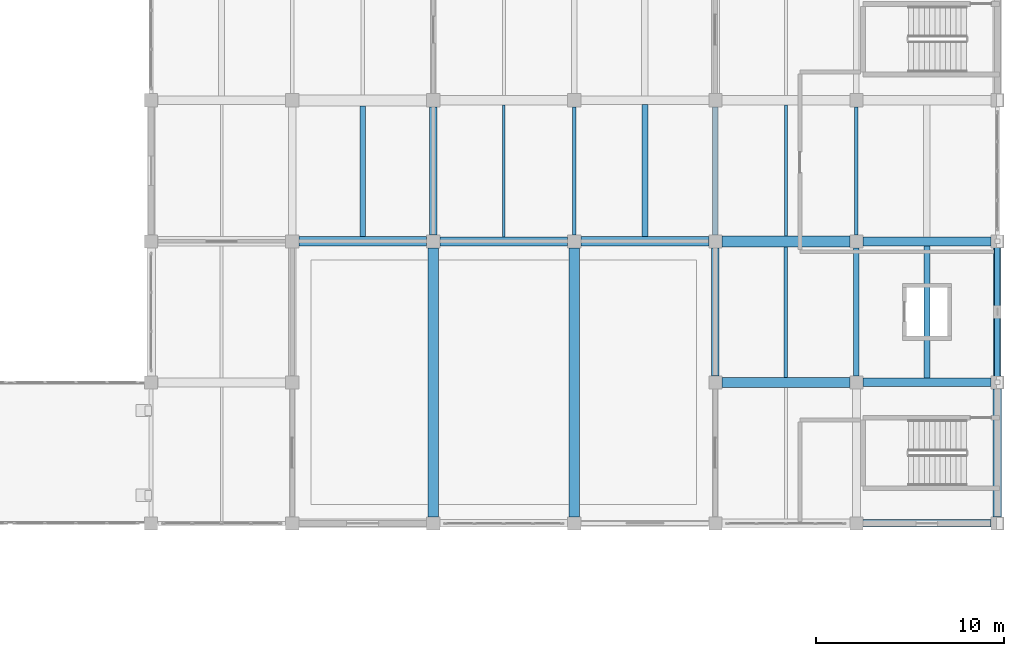
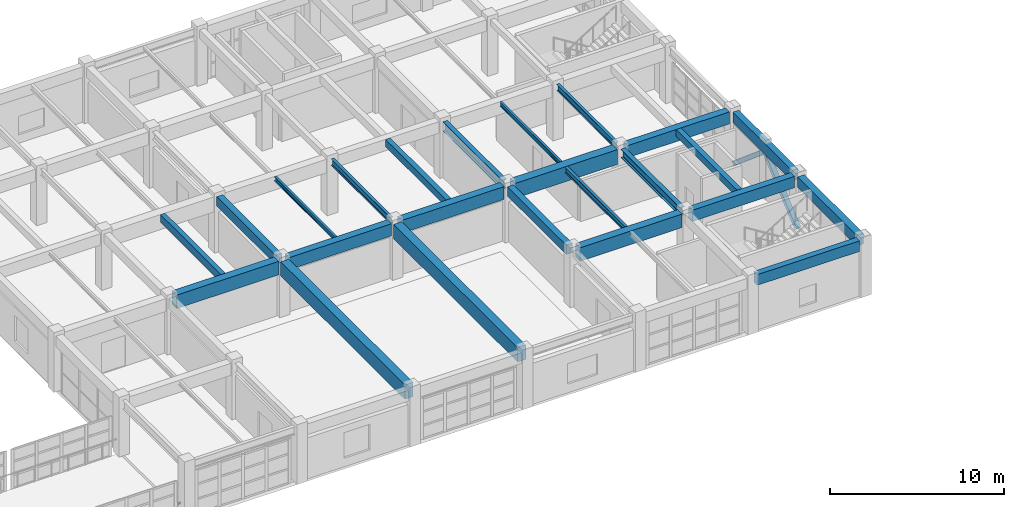
# One storey, part 75 of 132: 24 beams, 2 members.
"""IFC4 building model written with IfcOpenShell, lengths in metres."""

from ifc_helpers import new_model, si_unit, direction, frame, origin, origin_2d, place, context, subcontext, project, spatial, rectangle, i_section, extrude, material, material_profile, profile_set, type_object, element, save


model = new_model("IFC4")

# Units and contexts
model_context = context("Model", 3, precision=1e-05, world=origin(), true_north=direction((0.0, 1.0)))
body_context = subcontext(model_context, "Body", "Model", "MODEL_VIEW")
ifc_project = project(units=[si_unit("LENGTHUNIT", "METRE"), si_unit("AREAUNIT", "SQUARE_METRE"), si_unit("VOLUMEUNIT", "CUBIC_METRE"), si_unit("PLANEANGLEUNIT", "RADIAN"), si_unit("MASSUNIT", "GRAM", prefix="KILO")], contexts=[model_context])

# Site, building, storey
site_placement = place(None, origin())
site = spatial("IfcSite", under=ifc_project, at=site_placement, CompositionType="ELEMENT")
building_placement = place(site_placement, origin())
building = spatial("IfcBuilding", under=site, at=building_placement, Name="Qasida Concert Hall", CompositionType="ELEMENT")
storey_placement = place(building_placement, frame((0.0, 0.0, 4.800048828125)))
storey = spatial("IfcBuildingStorey", under=building, at=storey_placement, Name="L01", CompositionType="ELEMENT", Elevation=4.800048828125)

# Beams
ifc_material_1 = material(Name="Concrete C40/50", Category="concrete")
ifc_material_profile_1 = material_profile(ifc_material_1, rectangle(XDim=0.39990234375, YDim=0.64990234375, at=origin_2d()), Name="RC 400x650")
ifc_profile_set_1 = profile_set([ifc_material_profile_1], Name="Concrete C40/50")
beam_type_1 = type_object("IfcBeamType", Name="BM-B1", PredefinedType="BEAM", material=ifc_profile_set_1)
for number, where, z_axis, x_axis, name in (
    (1, (135.0, 90.35009765625, 3.594970703125), (0.0, 1.0, 0.0), (-1.0, 0.0, 0.0), "L01 girder 1021"),
    (2, (150.0, 82.85009765625, 3.594970703125), (0.0, 1.0, 0.0), (-1.0, 0.0, 0.0), "L01 girder 1029"),
):
    element("IfcBeam", number, at=place(storey_placement, frame(where, z_axis=z_axis, x_axis=x_axis)), inside=storey, type_object=beam_type_1, Name=name, PredefinedType="BEAM", context=body_context, shape_type="SweptSolid", body=[
        extrude(rectangle(XDim=0.39990234375, YDim=0.64990234375, at=origin_2d()), origin(), (0.0, 0.0, 1.0), 6.7998046875),
    ])
ifc_material_2 = material(Name="Steel S355J2", Category="steel")
ifc_material_profile_2 = material_profile(ifc_material_2, i_section(OverallWidth=0.300048828125, OverallDepth=0.64990234375, WebThickness=0.01611328125, FlangeThickness=0.031005859375, FilletRadius=0.027099609375, at=origin_2d()), Name="HEB 650")
ifc_profile_set_2 = profile_set([ifc_material_profile_2], Name="Steel S355J2")
beam_type_2 = type_object("IfcBeamType", Name="BM-B13", PredefinedType="BEAM", material=ifc_profile_set_2)
beam_1_placement = place(storey_placement, frame((150.0, 90.35009765625, 3.594970703125), z_axis=(0.0, 1.0, 0.0), x_axis=(-1.0, 0.0, 0.0)))
element("IfcBeam", 3, at=beam_1_placement, inside=storey, type_object=beam_type_2, Name="L01 girder 1030", PredefinedType="BEAM", context=body_context, shape_type="SweptSolid", body=[
    extrude(i_section(OverallWidth=0.300048828125, OverallDepth=0.64990234375, WebThickness=0.01611328125, FlangeThickness=0.031005859375, FilletRadius=0.027099609375, at=origin_2d()), origin(), (0.0, 0.0, 1.0), 6.7998046875),
])
ifc_material_profile_3 = material_profile(ifc_material_2, i_section(OverallWidth=0.18994140625, OverallDepth=0.449951171875, WebThickness=0.009521484375, FlangeThickness=0.0146484375, FilletRadius=0.02099609375, at=origin_2d()), Name="IPE 450")
ifc_profile_set_3 = profile_set([ifc_material_profile_3], Name="Steel S355J2")
beam_type_3 = type_object("IfcBeamType", Name="BM-B5", PredefinedType="BEAM", material=ifc_profile_set_3)
for number, where, z_axis, x_axis, name in (
    (4, (142.5, 90.35009765625, 3.695068359375), (0.0, 1.0, 0.0), (-1.0, 0.0, 0.0), "L01 girder 1025"),
    (5, (157.5, 90.35009765625, 3.695068359375), (0.0, 1.0, 0.0), (-1.0, 0.0, 0.0), "L01 girder 1035"),
):
    element("IfcBeam", number, at=place(storey_placement, frame(where, z_axis=z_axis, x_axis=x_axis)), inside=storey, type_object=beam_type_3, Name=name, PredefinedType="BEAM", context=body_context, shape_type="SweptSolid", body=[
        extrude(i_section(OverallWidth=0.18994140625, OverallDepth=0.449951171875, WebThickness=0.009521484375, FlangeThickness=0.0146484375, FilletRadius=0.02099609375, at=origin_2d()), origin(), (0.0, 0.0, 1.0), 6.7998046875),
    ])
ifc_material_profile_4 = material_profile(ifc_material_2, i_section(OverallWidth=0.300048828125, OverallDepth=0.60009765625, WebThickness=0.015380859375, FlangeThickness=0.030029296875, FilletRadius=0.027099609375, at=origin_2d()), Name="HEB 600")
ifc_profile_set_4 = profile_set([ifc_material_profile_4], Name="Steel S355J2")
beam_type_4 = type_object("IfcBeamType", Name="BM-B6", PredefinedType="BEAM", material=ifc_profile_set_4)
beam_2_placement = place(storey_placement, frame((157.5, 82.85009765625, 3.619873046875), z_axis=(0.0, 1.0, 0.0), x_axis=(-1.0, 0.0, 0.0)))
element("IfcBeam", 6, at=beam_2_placement, inside=storey, type_object=beam_type_4, Name="L01 girder 1034", PredefinedType="BEAM", context=body_context, shape_type="SweptSolid", body=[
    extrude(i_section(OverallWidth=0.300048828125, OverallDepth=0.60009765625, WebThickness=0.015380859375, FlangeThickness=0.030029296875, FilletRadius=0.027099609375, at=origin_2d()), origin(), (0.0, 0.0, 1.0), 6.7998046875),
])
ifc_material_profile_5 = material_profile(ifc_material_1, rectangle(XDim=0.5, YDim=0.89990234375, at=origin_2d()), Name="RC 500x900")
ifc_profile_set_5 = profile_set([ifc_material_profile_5], Name="Concrete C40/50")
beam_type_5 = type_object("IfcBeamType", Name="BM-G1", PredefinedType="USERDEFINED", material=ifc_profile_set_5)
beam_3_placement = place(storey_placement, frame((142.85009765625, 90.0, 3.469970703125), z_axis=(1.0, 0.0, 0.0), x_axis=(0.0, 1.0, 0.0)))
element("IfcBeam", 7, at=beam_3_placement, inside=storey, type_object=beam_type_5, Name="Primary girder 0989", ObjectType="GIRDER", PredefinedType="USERDEFINED", context=body_context, shape_type="SweptSolid", body=[
    extrude(rectangle(XDim=0.5, YDim=0.89990234375, at=origin_2d()), origin(), (0.0, 0.0, 1.0), 6.7998046875),
])
ifc_material_profile_6 = material_profile(ifc_material_1, rectangle(XDim=0.449951171875, YDim=0.800048828125, at=origin_2d()), Name="RC 450x800")
ifc_profile_set_6 = profile_set([ifc_material_profile_6], Name="Concrete C40/50")
beam_type_6 = type_object("IfcBeamType", Name="BM-G2", PredefinedType="USERDEFINED", material=ifc_profile_set_6)
beam_4_placement = place(storey_placement, frame((157.85009765625, 82.5, 3.52001953125), z_axis=(1.0, 0.0, 0.0), x_axis=(0.0, 1.0, 0.0)))
element("IfcBeam", 8, at=beam_4_placement, inside=storey, type_object=beam_type_6, Name="Primary girder 0985", ObjectType="GIRDER", PredefinedType="USERDEFINED", context=body_context, shape_type="SweptSolid", body=[
    extrude(rectangle(XDim=0.449951171875, YDim=0.800048828125, at=origin_2d()), origin(), (0.0, 0.0, 1.0), 6.7998046875),
])
ifc_material_profile_7 = material_profile(ifc_material_1, rectangle(XDim=0.550048828125, YDim=1.0, at=origin_2d()), Name="RC 550x1000")
ifc_profile_set_7 = profile_set([ifc_material_profile_7], Name="Concrete C40/50")
beam_type_7 = type_object("IfcBeamType", Name="BM-G3", PredefinedType="USERDEFINED", material=ifc_profile_set_7)
for number, where, z_axis, x_axis, name in (
    (9, (135.0, 75.35009765625, 3.419921875), (0.0, 1.0, 0.0), (-1.0, 0.0, 0.0), "L01 girder 1020"),
    (10, (142.5, 75.35009765625, 3.419921875), (0.0, 1.0, 0.0), (-1.0, 0.0, 0.0), "L01 girder 1024"),
):
    element("IfcBeam", number, at=place(storey_placement, frame(where, z_axis=z_axis, x_axis=x_axis)), inside=storey, type_object=beam_type_7, Name=name, ObjectType="GIRDER", PredefinedType="USERDEFINED", context=body_context, shape_type="SweptSolid", body=[
        extrude(rectangle(XDim=0.550048828125, YDim=1.0, at=origin_2d()), origin(), (0.0, 0.0, 1.0), 14.2998046875),
    ])
ifc_material_profile_8 = material_profile(ifc_material_1, rectangle(XDim=0.47998046875, YDim=0.85009765625, at=origin_2d()), Name="RC 480x850")
ifc_profile_set_8 = profile_set([ifc_material_profile_8], Name="Concrete C40/50")
beam_type_8 = type_object("IfcBeamType", Name="BM-G6", PredefinedType="USERDEFINED", material=ifc_profile_set_8)
for number, where, z_axis, x_axis, name in (
    (11, (135.35009765625, 90.0, 3.494873046875), (1.0, 0.0, 0.0), (0.0, 1.0, 0.0), "Primary girder 0988"),
    (12, (157.85009765625, 90.0, 3.494873046875), (1.0, 0.0, 0.0), (0.0, 1.0, 0.0), "Primary girder 0991"),
):
    element("IfcBeam", number, at=place(storey_placement, frame(where, z_axis=z_axis, x_axis=x_axis)), inside=storey, type_object=beam_type_8, Name=name, ObjectType="GIRDER", PredefinedType="USERDEFINED", context=body_context, shape_type="SweptSolid", body=[
        extrude(rectangle(XDim=0.47998046875, YDim=0.85009765625, at=origin_2d()), origin(), (0.0, 0.0, 1.0), 6.7998046875),
    ])
ifc_material_profile_9 = material_profile(ifc_material_1, rectangle(XDim=0.52001953125, YDim=0.949951171875, at=origin_2d()), Name="RC 520x950")
ifc_profile_set_9 = profile_set([ifc_material_profile_9], Name="Concrete C40/50")
beam_type_9 = type_object("IfcBeamType", Name="BM-G7", PredefinedType="USERDEFINED", material=ifc_profile_set_9)
for number, where, z_axis, x_axis, name in (
    (13, (150.35009765625, 82.5, 3.445068359375), (1.0, 0.0, 0.0), (0.0, 1.0, 0.0), "Primary girder 0984"),
    (14, (127.85009765625, 90.0, 3.445068359375), (1.0, 0.0, 0.0), (0.0, 1.0, 0.0), "Primary girder 0987"),
):
    element("IfcBeam", number, at=place(storey_placement, frame(where, z_axis=z_axis, x_axis=x_axis)), inside=storey, type_object=beam_type_9, Name=name, ObjectType="GIRDER", PredefinedType="USERDEFINED", context=body_context, shape_type="SweptSolid", body=[
        extrude(rectangle(XDim=0.52001953125, YDim=0.949951171875, at=origin_2d()), origin(), (0.0, 0.0, 1.0), 6.7998046875),
    ])
ifc_material_3 = material(Name="Concrete C50/60", Category="concrete")
ifc_material_profile_10 = material_profile(ifc_material_3, rectangle(XDim=0.580078125, YDim=1.050048828125, at=origin_2d()), Name="RC 580x1050")
ifc_profile_set_10 = profile_set([ifc_material_profile_10], Name="Concrete C50/60")
beam_type_10 = type_object("IfcBeamType", Name="BM-G8", PredefinedType="USERDEFINED", material=ifc_profile_set_10)
beam_5_placement = place(storey_placement, frame((150.35009765625, 90.0, 3.39501953125), z_axis=(1.0, 0.0, 0.0), x_axis=(0.0, 1.0, 0.0)))
element("IfcBeam", 15, at=beam_5_placement, inside=storey, type_object=beam_type_10, Name="Primary girder 0990", ObjectType="GIRDER", PredefinedType="USERDEFINED", context=body_context, shape_type="SweptSolid", body=[
    extrude(rectangle(XDim=0.580078125, YDim=1.050048828125, at=origin_2d()), origin(), (0.0, 0.0, 1.0), 6.7998046875),
])
ifc_material_profile_11 = material_profile(ifc_material_1, rectangle(XDim=0.300048828125, YDim=0.550048828125, at=origin_2d()), Name="RC 300x550")
ifc_profile_set_11 = profile_set([ifc_material_profile_11], Name="Concrete C40/50")
beam_type_11 = type_object("IfcBeamType", Name="BM-J1", PredefinedType="JOIST", material=ifc_profile_set_11)
beam_6_placement = place(storey_placement, frame((131.25, 90.260009765625, 3.64501953125), z_axis=(0.0, 1.0, 0.0), x_axis=(-1.0, 0.0, 0.0)))
element("IfcBeam", 16, at=beam_6_placement, inside=storey, type_object=beam_type_11, Name="L01 secondary joist 1048", PredefinedType="JOIST", context=body_context, shape_type="SweptSolid", body=[
    extrude(rectangle(XDim=0.300048828125, YDim=0.550048828125, at=origin_2d()), origin(), (0.0, 0.0, 1.0), 6.949951171875),
])
ifc_material_profile_12 = material_profile(ifc_material_2, i_section(OverallWidth=0.179931640625, OverallDepth=0.39990234375, WebThickness=0.008544921875, FlangeThickness=0.013427734375, FilletRadius=0.02099609375, at=origin_2d()), Name="IPE 400")
ifc_profile_set_12 = profile_set([ifc_material_profile_12], Name="Steel S355J2")
beam_type_12 = type_object("IfcBeamType", Name="BM-J3", PredefinedType="JOIST", material=ifc_profile_set_12)
beam_7_placement = place(storey_placement, frame((153.75, 82.760009765625, 3.719970703125), z_axis=(0.0, 1.0, 0.0), x_axis=(-1.0, 0.0, 0.0)))
element("IfcBeam", 17, at=beam_7_placement, inside=storey, type_object=beam_type_12, Name="L01 secondary joist 1058", PredefinedType="JOIST", context=body_context, shape_type="SweptSolid", body=[
    extrude(i_section(OverallWidth=0.179931640625, OverallDepth=0.39990234375, WebThickness=0.008544921875, FlangeThickness=0.013427734375, FilletRadius=0.02099609375, at=origin_2d()), origin(), (0.0, 0.0, 1.0), 6.949951171875),
])
ifc_material_profile_13 = material_profile(ifc_material_2, i_section(OverallWidth=0.14990234375, OverallDepth=0.300048828125, WebThickness=0.007080078125, FlangeThickness=0.0107421875, FilletRadius=0.014892578125, at=origin_2d()), Name="IPE 300")
ifc_profile_set_13 = profile_set([ifc_material_profile_13], Name="Steel S355J2")
beam_type_13 = type_object("IfcBeamType", Name="BM-J4", PredefinedType="JOIST", material=ifc_profile_set_13)
beam_8_placement = place(storey_placement, frame((138.75, 90.239990234375, 3.77001953125), z_axis=(0.0, 1.0, 0.0), x_axis=(-1.0, 0.0, 0.0)))
element("IfcBeam", 18, at=beam_8_placement, inside=storey, type_object=beam_type_13, Name="L01 secondary joist 1051", PredefinedType="JOIST", context=body_context, shape_type="SweptSolid", body=[
    extrude(i_section(OverallWidth=0.14990234375, OverallDepth=0.300048828125, WebThickness=0.007080078125, FlangeThickness=0.0107421875, FilletRadius=0.014892578125, at=origin_2d()), origin(), (0.0, 0.0, 1.0), 7.0),
])
beam_9_placement = place(storey_placement, frame((153.75, 90.2900390625, 3.77001953125), z_axis=(0.0, 1.0, 0.0), x_axis=(-1.0, 0.0, 0.0)))
element("IfcBeam", 19, at=beam_9_placement, inside=storey, type_object=beam_type_13, Name="L01 secondary joist 1059", PredefinedType="JOIST", context=body_context, shape_type="SweptSolid", body=[
    extrude(i_section(OverallWidth=0.14990234375, OverallDepth=0.300048828125, WebThickness=0.007080078125, FlangeThickness=0.0107421875, FilletRadius=0.014892578125, at=origin_2d()), origin(), (0.0, 0.0, 1.0), 6.9599609375),
])
ifc_material_profile_14 = material_profile(ifc_material_1, rectangle(XDim=0.320068359375, YDim=0.5, at=origin_2d()), Name="RC 320x500")
ifc_profile_set_14 = profile_set([ifc_material_profile_14], Name="Concrete C40/50")
beam_type_14 = type_object("IfcBeamType", Name="BM-J7", PredefinedType="JOIST", material=ifc_profile_set_14)
beam_10_placement = place(storey_placement, frame((146.25, 90.25, 3.669921875), z_axis=(0.0, 1.0, 0.0), x_axis=(-1.0, 0.0, 0.0)))
element("IfcBeam", 20, at=beam_10_placement, inside=storey, type_object=beam_type_14, Name="L01 secondary joist 1054", PredefinedType="JOIST", context=body_context, shape_type="SweptSolid", body=[
    extrude(rectangle(XDim=0.320068359375, YDim=0.5, at=origin_2d()), origin(), (0.0, 0.0, 1.0), 7.02490234375),
])
beam_11_placement = place(storey_placement, frame((161.25, 82.72509765625, 3.669921875), z_axis=(0.0, 1.0, 0.0), x_axis=(-1.0, 0.0, 0.0)))
element("IfcBeam", 21, at=beam_11_placement, inside=storey, type_object=beam_type_14, Name="L01 secondary joist 1062", PredefinedType="JOIST", context=body_context, shape_type="SweptSolid", body=[
    extrude(rectangle(XDim=0.320068359375, YDim=0.5, at=origin_2d()), origin(), (0.0, 0.0, 1.0), 7.034912109375),
])
ifc_material_profile_15 = material_profile(ifc_material_1, rectangle(XDim=0.39990234375, YDim=0.75, at=origin_2d()), Name="RC 400x750")
ifc_profile_set_15 = profile_set([ifc_material_profile_15], Name="Concrete C40/50")
beam_type_15 = type_object("IfcBeamType", Name="BM-SP1", PredefinedType="SPANDREL", material=ifc_profile_set_15)
for number, where, z_axis, x_axis, name in (
    (22, (157.85009765625, 75.0, 3.544921875), (1.0, 0.0, 0.0), (0.0, 1.0, 0.0), "Primary girder 0982"),
    (23, (165.0, 82.85009765625, 3.544921875), (0.0, 1.0, 0.0), (-1.0, 0.0, 0.0), "L01 girder 1039"),
):
    element("IfcBeam", number, at=place(storey_placement, frame(where, z_axis=z_axis, x_axis=x_axis)), inside=storey, type_object=beam_type_15, Name=name, PredefinedType="SPANDREL", context=body_context, shape_type="SweptSolid", body=[
        extrude(rectangle(XDim=0.39990234375, YDim=0.75, at=origin_2d()), origin(), (0.0, 0.0, 1.0), 6.7998046875),
    ])
ifc_material_profile_16 = material_profile(ifc_material_1, rectangle(XDim=0.449951171875, YDim=0.75, at=origin_2d()), Name="RC 450x750")
ifc_profile_set_16 = profile_set([ifc_material_profile_16], Name="Concrete C40/50")
beam_type_16 = type_object("IfcBeamType", Name="BM-SP4", PredefinedType="SPANDREL", material=ifc_profile_set_16)
beam_12_placement = place(storey_placement, frame((165.0, 75.35009765625, 3.544921875), z_axis=(0.0, 1.0, 0.0), x_axis=(-1.0, 0.0, 0.0)))
element("IfcBeam", 24, at=beam_12_placement, inside=storey, type_object=beam_type_16, Name="L01 girder 1038", PredefinedType="SPANDREL", context=body_context, shape_type="SweptSolid", body=[
    extrude(rectangle(XDim=0.449951171875, YDim=0.75, at=origin_2d()), origin(), (0.0, 0.0, 1.0), 6.7998046875),
])

# Members
ifc_material_profile_17 = material_profile(ifc_material_2, i_section(OverallWidth=0.300048828125, OverallDepth=0.31005859375, WebThickness=0.009033203125, FlangeThickness=0.015380859375, FilletRadius=0.027099609375, at=origin_2d()), Name="HEA 320")
ifc_profile_set_17 = profile_set([ifc_material_profile_17], Name="Steel S355J2")
member_type = type_object("IfcMemberType", Name="MB-BR10", PredefinedType="BRACE", material=ifc_profile_set_17)
for number, where, z_axis, x_axis, name in (
    (25, (165.0, 82.5, 0.0), (0.0, 0.763703031539, 0.645567718848), (-1.0, 0.0, 0.0), "L01 chevron brace CBF-0051"),
    (26, (165.0, 90.0, 0.0), (0.0, -0.763703031539, 0.645567718848), (1.0, 0.0, 0.0), "L01 chevron brace CBF-0052"),
):
    element("IfcMember", number, at=place(storey_placement, frame(where, z_axis=z_axis, x_axis=x_axis)), inside=storey, type_object=member_type, Name=name, PredefinedType="BRACE", context=body_context, shape_type="SweptSolid", body=[
        extrude(i_section(OverallWidth=0.300048828125, OverallDepth=0.31005859375, WebThickness=0.009033203125, FlangeThickness=0.015380859375, FilletRadius=0.027099609375, at=origin_2d()), origin(), (0.0, 0.0, 1.0), 4.910400390625),
    ])

save(model, "model.ifc")
